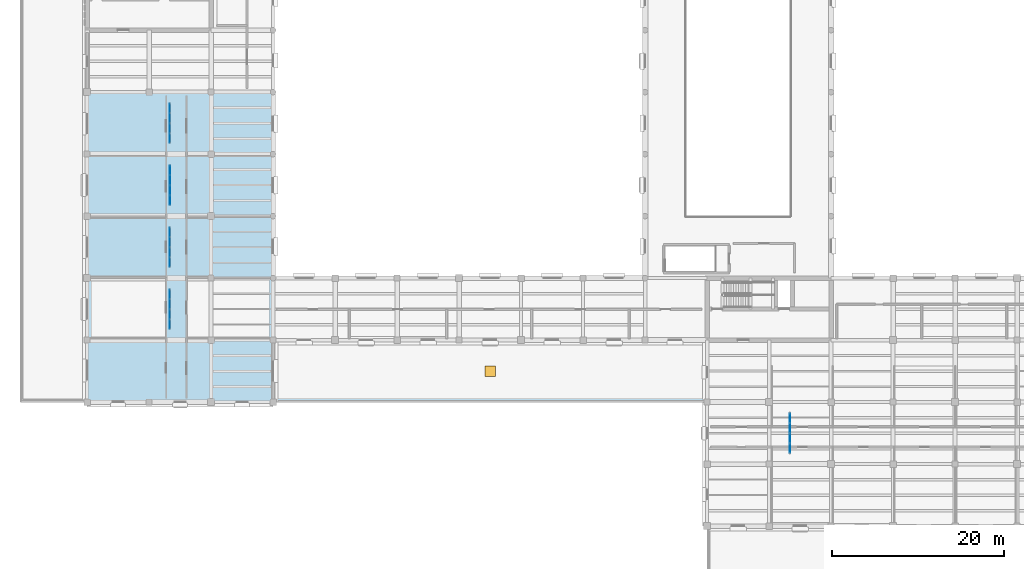
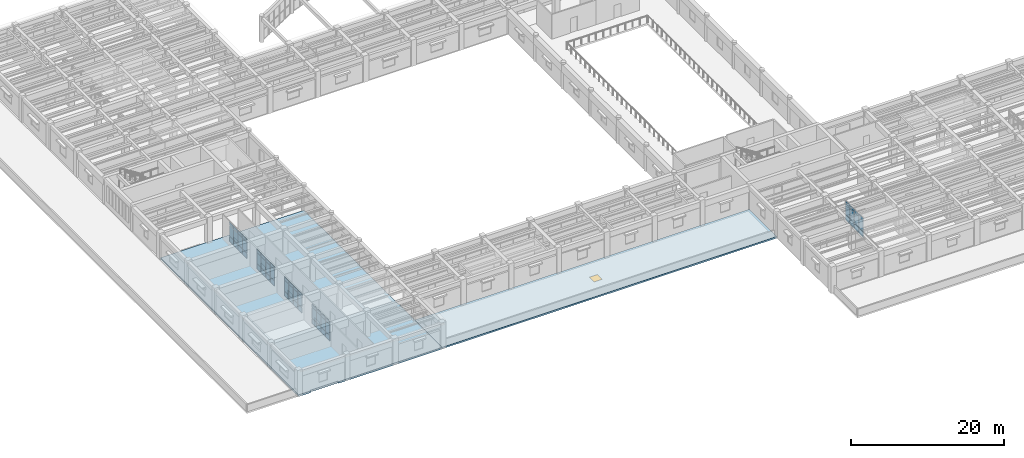
# One storey, part 35 of 76: 60 plates, 2 slabs, 1 window, 1 opening, 5 elements without a shape of their own.
"""IFC4 building model written with IfcOpenShell, lengths in metres."""

from ifc_helpers import new_model, si_unit, direction, frame, origin, origin_2d, place, context, subcontext, project, spatial, polyline, rectangle, outline, extrude, material, layer, layer_set, type_object, element, fill, aggregate, save


model = new_model("IFC4")

# Units and contexts
model_context = context("Model", 3, precision=1e-05, world=origin(), true_north=direction((0.0, 1.0)))
body_context = subcontext(model_context, "Body", "Model", "MODEL_VIEW")
ifc_project = project(units=[si_unit("LENGTHUNIT", "METRE"), si_unit("AREAUNIT", "SQUARE_METRE"), si_unit("VOLUMEUNIT", "CUBIC_METRE"), si_unit("PLANEANGLEUNIT", "RADIAN"), si_unit("MASSUNIT", "GRAM", prefix="KILO")], contexts=[model_context])

# Site, building, storey
site_placement = place(None, origin())
site = spatial("IfcSite", under=ifc_project, at=site_placement, CompositionType="ELEMENT")
building_placement = place(site_placement, origin())
building = spatial("IfcBuilding", under=site, at=building_placement, Name="Mithqara Police Headquarters", CompositionType="ELEMENT")
storey_placement = place(building_placement, frame((0.0, 0.0, 5.39990234375)))
storey = spatial("IfcBuildingStorey", under=building, at=storey_placement, Name="L01", CompositionType="ELEMENT", Elevation=5.39990234375)

# Curtain wall, plates
ifc_material_1 = material(Name="Bronze anodised aluminium 6063-T6", Category="aluminium")
curtain_wall_type = type_object("IfcCurtainWallType", Name="CURTAIN WALL 4700X3200", PredefinedType="USERDEFINED", material=ifc_material_1)
curtain_wall_1_placement = place(storey_placement, origin())
curtain_wall_1 = element("IfcCurtainWall", 1, at=curtain_wall_1_placement, inside=storey, type_object=curtain_wall_type, Name="L01 Unitised Glazing CW-15 (CW-INT-L01-X02-Y04-0)", ObjectType="UNITISED GLAZING", PredefinedType="USERDEFINED")
ifc_material_2 = material(Name="Spectrally selective double low-e glass", Category="glass")
ifc_layer_1 = layer(ifc_material_2, 0.028076171875, Name="Spectrally selective double low-e glass")
ifc_layer_set_1 = layer_set([ifc_layer_1], Name="Spectrally selective double low-e glass")
plate_type_1 = type_object("IfcPlateType", Name="CWPANEL GLASS28", PredefinedType="CURTAIN_PANEL", material=ifc_layer_set_1)
plate_1_placement = place(storey_placement, frame((17.39990234375, 30.05615234375, 0.074951171875), z_axis=(0.0, 0.0, 1.0), x_axis=(0.0, 1.0, 0.0)))
plate_1 = element("IfcPlate", 2, at=plate_1_placement, type_object=plate_type_1, Name="CW-15 panel 1.1", PredefinedType="CURTAIN_PANEL", context=body_context, shape_type="SweptSolid", body=[
    extrude(rectangle(XDim=1.0625, YDim=0.028076171875, at=origin_2d()), origin(), (0.0, 0.0, 1.0), 0.78759765625),
])
plate_2_placement = place(storey_placement, frame((17.39990234375, 30.05615234375, 0.9375), z_axis=(0.0, 0.0, 1.0), x_axis=(0.0, 1.0, 0.0)))
plate_2 = element("IfcPlate", 3, at=plate_2_placement, type_object=plate_type_1, Name="CW-15 panel 1.2", PredefinedType="CURTAIN_PANEL", context=body_context, shape_type="SweptSolid", body=[
    extrude(rectangle(XDim=1.0625, YDim=0.028076171875, at=origin_2d()), origin(), (0.0, 0.0, 1.0), 1.675048828125),
])
plate_3_placement = place(storey_placement, frame((17.39990234375, 30.05615234375, 2.6875), z_axis=(0.0, 0.0, 1.0), x_axis=(0.0, 1.0, 0.0)))
plate_3 = element("IfcPlate", 4, at=plate_3_placement, type_object=plate_type_1, Name="CW-15 panel 1.3", PredefinedType="CURTAIN_PANEL", context=body_context, shape_type="SweptSolid", body=[
    extrude(rectangle(XDim=1.0625, YDim=0.028076171875, at=origin_2d()), origin(), (0.0, 0.0, 1.0), 0.4375),
])
plate_4_placement = place(storey_placement, frame((17.39990234375, 31.21240234375, 0.074951171875), z_axis=(0.0, 0.0, 1.0), x_axis=(0.0, 1.0, 0.0)))
plate_4 = element("IfcPlate", 5, at=plate_4_placement, type_object=plate_type_1, Name="CW-15 panel 2.1", PredefinedType="CURTAIN_PANEL", context=body_context, shape_type="SweptSolid", body=[
    extrude(rectangle(XDim=1.10009765625, YDim=0.028076171875, at=origin_2d()), origin(), (0.0, 0.0, 1.0), 0.78759765625),
])
plate_5_placement = place(storey_placement, frame((17.39990234375, 31.21240234375, 0.9375), z_axis=(0.0, 0.0, 1.0), x_axis=(0.0, 1.0, 0.0)))
plate_5 = element("IfcPlate", 6, at=plate_5_placement, type_object=plate_type_1, Name="CW-15 panel 2.2", PredefinedType="CURTAIN_PANEL", context=body_context, shape_type="SweptSolid", body=[
    extrude(rectangle(XDim=1.10009765625, YDim=0.028076171875, at=origin_2d()), origin(), (0.0, 0.0, 1.0), 1.675048828125),
])
plate_6_placement = place(storey_placement, frame((17.39990234375, 31.21240234375, 2.6875), z_axis=(0.0, 0.0, 1.0), x_axis=(0.0, 1.0, 0.0)))
plate_6 = element("IfcPlate", 7, at=plate_6_placement, type_object=plate_type_1, Name="CW-15 panel 2.3", PredefinedType="CURTAIN_PANEL", context=body_context, shape_type="SweptSolid", body=[
    extrude(rectangle(XDim=1.10009765625, YDim=0.028076171875, at=origin_2d()), origin(), (0.0, 0.0, 1.0), 0.4375),
])
plate_7_placement = place(storey_placement, frame((17.39990234375, 32.387451171875, 0.074951171875), z_axis=(0.0, 0.0, 1.0), x_axis=(0.0, 1.0, 0.0)))
plate_7 = element("IfcPlate", 8, at=plate_7_placement, type_object=plate_type_1, Name="CW-15 panel 3.1", PredefinedType="CURTAIN_PANEL", context=body_context, shape_type="SweptSolid", body=[
    extrude(rectangle(XDim=1.10009765625, YDim=0.028076171875, at=origin_2d()), origin(), (0.0, 0.0, 1.0), 0.78759765625),
])
plate_8_placement = place(storey_placement, frame((17.39990234375, 32.387451171875, 0.9375), z_axis=(0.0, 0.0, 1.0), x_axis=(0.0, 1.0, 0.0)))
plate_8 = element("IfcPlate", 9, at=plate_8_placement, type_object=plate_type_1, Name="CW-15 panel 3.2", PredefinedType="CURTAIN_PANEL", context=body_context, shape_type="SweptSolid", body=[
    extrude(rectangle(XDim=1.10009765625, YDim=0.028076171875, at=origin_2d()), origin(), (0.0, 0.0, 1.0), 1.675048828125),
])
plate_9_placement = place(storey_placement, frame((17.39990234375, 32.387451171875, 2.6875), z_axis=(0.0, 0.0, 1.0), x_axis=(0.0, 1.0, 0.0)))
plate_9 = element("IfcPlate", 10, at=plate_9_placement, type_object=plate_type_1, Name="CW-15 panel 3.3", PredefinedType="CURTAIN_PANEL", context=body_context, shape_type="SweptSolid", body=[
    extrude(rectangle(XDim=1.10009765625, YDim=0.028076171875, at=origin_2d()), origin(), (0.0, 0.0, 1.0), 0.4375),
])
plate_10_placement = place(storey_placement, frame((17.39990234375, 33.543701171875, 0.074951171875), z_axis=(0.0, 0.0, 1.0), x_axis=(0.0, 1.0, 0.0)))
plate_10 = element("IfcPlate", 11, at=plate_10_placement, type_object=plate_type_1, Name="CW-15 panel 4.1", PredefinedType="CURTAIN_PANEL", context=body_context, shape_type="SweptSolid", body=[
    extrude(rectangle(XDim=1.0625, YDim=0.028076171875, at=origin_2d()), origin(), (0.0, 0.0, 1.0), 0.78759765625),
])
plate_11_placement = place(storey_placement, frame((17.39990234375, 33.543701171875, 0.9375), z_axis=(0.0, 0.0, 1.0), x_axis=(0.0, 1.0, 0.0)))
plate_11 = element("IfcPlate", 12, at=plate_11_placement, type_object=plate_type_1, Name="CW-15 panel 4.2", PredefinedType="CURTAIN_PANEL", context=body_context, shape_type="SweptSolid", body=[
    extrude(rectangle(XDim=1.0625, YDim=0.028076171875, at=origin_2d()), origin(), (0.0, 0.0, 1.0), 1.675048828125),
])
plate_12_placement = place(storey_placement, frame((17.39990234375, 33.543701171875, 2.6875), z_axis=(0.0, 0.0, 1.0), x_axis=(0.0, 1.0, 0.0)))
plate_12 = element("IfcPlate", 13, at=plate_12_placement, type_object=plate_type_1, Name="CW-15 panel 4.3", PredefinedType="CURTAIN_PANEL", context=body_context, shape_type="SweptSolid", body=[
    extrude(rectangle(XDim=1.0625, YDim=0.028076171875, at=origin_2d()), origin(), (0.0, 0.0, 1.0), 0.4375),
])
aggregate(curtain_wall_1, [plate_1, plate_2, plate_3, plate_4, plate_5, plate_6, plate_7, plate_8, plate_9, plate_10, plate_11, plate_12])

curtain_wall_2_placement = place(storey_placement, origin())
curtain_wall_2 = element("IfcCurtainWall", 14, at=curtain_wall_2_placement, inside=storey, type_object=curtain_wall_type, Name="L01 Unitised Glazing CW-15 (CW-INT-L01-X02-Y05-0)", ObjectType="UNITISED GLAZING", PredefinedType="USERDEFINED")
plate_13_placement = place(storey_placement, frame((17.39990234375, 37.25634765625, 0.074951171875), z_axis=(0.0, 0.0, 1.0), x_axis=(0.0, 1.0, 0.0)))
plate_13 = element("IfcPlate", 15, at=plate_13_placement, type_object=plate_type_1, Name="CW-15 panel 1.1", PredefinedType="CURTAIN_PANEL", context=body_context, shape_type="SweptSolid", body=[
    extrude(rectangle(XDim=1.0625, YDim=0.028076171875, at=origin_2d()), origin(), (0.0, 0.0, 1.0), 0.78759765625),
])
plate_14_placement = place(storey_placement, frame((17.39990234375, 37.25634765625, 0.9375), z_axis=(0.0, 0.0, 1.0), x_axis=(0.0, 1.0, 0.0)))
plate_14 = element("IfcPlate", 16, at=plate_14_placement, type_object=plate_type_1, Name="CW-15 panel 1.2", PredefinedType="CURTAIN_PANEL", context=body_context, shape_type="SweptSolid", body=[
    extrude(rectangle(XDim=1.0625, YDim=0.028076171875, at=origin_2d()), origin(), (0.0, 0.0, 1.0), 1.675048828125),
])
plate_15_placement = place(storey_placement, frame((17.39990234375, 37.25634765625, 2.6875), z_axis=(0.0, 0.0, 1.0), x_axis=(0.0, 1.0, 0.0)))
plate_15 = element("IfcPlate", 17, at=plate_15_placement, type_object=plate_type_1, Name="CW-15 panel 1.3", PredefinedType="CURTAIN_PANEL", context=body_context, shape_type="SweptSolid", body=[
    extrude(rectangle(XDim=1.0625, YDim=0.028076171875, at=origin_2d()), origin(), (0.0, 0.0, 1.0), 0.4375),
])
plate_16_placement = place(storey_placement, frame((17.39990234375, 38.41259765625, 0.074951171875), z_axis=(0.0, 0.0, 1.0), x_axis=(0.0, 1.0, 0.0)))
plate_16 = element("IfcPlate", 18, at=plate_16_placement, type_object=plate_type_1, Name="CW-15 panel 2.1", PredefinedType="CURTAIN_PANEL", context=body_context, shape_type="SweptSolid", body=[
    extrude(rectangle(XDim=1.10009765625, YDim=0.028076171875, at=origin_2d()), origin(), (0.0, 0.0, 1.0), 0.78759765625),
])
plate_17_placement = place(storey_placement, frame((17.39990234375, 38.41259765625, 0.9375), z_axis=(0.0, 0.0, 1.0), x_axis=(0.0, 1.0, 0.0)))
plate_17 = element("IfcPlate", 19, at=plate_17_placement, type_object=plate_type_1, Name="CW-15 panel 2.2", PredefinedType="CURTAIN_PANEL", context=body_context, shape_type="SweptSolid", body=[
    extrude(rectangle(XDim=1.10009765625, YDim=0.028076171875, at=origin_2d()), origin(), (0.0, 0.0, 1.0), 1.675048828125),
])
plate_18_placement = place(storey_placement, frame((17.39990234375, 38.41259765625, 2.6875), z_axis=(0.0, 0.0, 1.0), x_axis=(0.0, 1.0, 0.0)))
plate_18 = element("IfcPlate", 20, at=plate_18_placement, type_object=plate_type_1, Name="CW-15 panel 2.3", PredefinedType="CURTAIN_PANEL", context=body_context, shape_type="SweptSolid", body=[
    extrude(rectangle(XDim=1.10009765625, YDim=0.028076171875, at=origin_2d()), origin(), (0.0, 0.0, 1.0), 0.4375),
])
plate_19_placement = place(storey_placement, frame((17.39990234375, 39.58740234375, 0.074951171875), z_axis=(0.0, 0.0, 1.0), x_axis=(0.0, 1.0, 0.0)))
plate_19 = element("IfcPlate", 21, at=plate_19_placement, type_object=plate_type_1, Name="CW-15 panel 3.1", PredefinedType="CURTAIN_PANEL", context=body_context, shape_type="SweptSolid", body=[
    extrude(rectangle(XDim=1.10009765625, YDim=0.028076171875, at=origin_2d()), origin(), (0.0, 0.0, 1.0), 0.78759765625),
])
plate_20_placement = place(storey_placement, frame((17.39990234375, 39.58740234375, 0.9375), z_axis=(0.0, 0.0, 1.0), x_axis=(0.0, 1.0, 0.0)))
plate_20 = element("IfcPlate", 22, at=plate_20_placement, type_object=plate_type_1, Name="CW-15 panel 3.2", PredefinedType="CURTAIN_PANEL", context=body_context, shape_type="SweptSolid", body=[
    extrude(rectangle(XDim=1.10009765625, YDim=0.028076171875, at=origin_2d()), origin(), (0.0, 0.0, 1.0), 1.675048828125),
])
plate_21_placement = place(storey_placement, frame((17.39990234375, 39.58740234375, 2.6875), z_axis=(0.0, 0.0, 1.0), x_axis=(0.0, 1.0, 0.0)))
plate_21 = element("IfcPlate", 23, at=plate_21_placement, type_object=plate_type_1, Name="CW-15 panel 3.3", PredefinedType="CURTAIN_PANEL", context=body_context, shape_type="SweptSolid", body=[
    extrude(rectangle(XDim=1.10009765625, YDim=0.028076171875, at=origin_2d()), origin(), (0.0, 0.0, 1.0), 0.4375),
])
plate_22_placement = place(storey_placement, frame((17.39990234375, 40.74365234375, 0.074951171875), z_axis=(0.0, 0.0, 1.0), x_axis=(0.0, 1.0, 0.0)))
plate_22 = element("IfcPlate", 24, at=plate_22_placement, type_object=plate_type_1, Name="CW-15 panel 4.1", PredefinedType="CURTAIN_PANEL", context=body_context, shape_type="SweptSolid", body=[
    extrude(rectangle(XDim=1.0625, YDim=0.028076171875, at=origin_2d()), origin(), (0.0, 0.0, 1.0), 0.78759765625),
])
plate_23_placement = place(storey_placement, frame((17.39990234375, 40.74365234375, 0.9375), z_axis=(0.0, 0.0, 1.0), x_axis=(0.0, 1.0, 0.0)))
plate_23 = element("IfcPlate", 25, at=plate_23_placement, type_object=plate_type_1, Name="CW-15 panel 4.2", PredefinedType="CURTAIN_PANEL", context=body_context, shape_type="SweptSolid", body=[
    extrude(rectangle(XDim=1.0625, YDim=0.028076171875, at=origin_2d()), origin(), (0.0, 0.0, 1.0), 1.675048828125),
])
plate_24_placement = place(storey_placement, frame((17.39990234375, 40.74365234375, 2.6875), z_axis=(0.0, 0.0, 1.0), x_axis=(0.0, 1.0, 0.0)))
plate_24 = element("IfcPlate", 26, at=plate_24_placement, type_object=plate_type_1, Name="CW-15 panel 4.3", PredefinedType="CURTAIN_PANEL", context=body_context, shape_type="SweptSolid", body=[
    extrude(rectangle(XDim=1.0625, YDim=0.028076171875, at=origin_2d()), origin(), (0.0, 0.0, 1.0), 0.4375),
])
aggregate(curtain_wall_2, [plate_13, plate_14, plate_15, plate_16, plate_17, plate_18, plate_19, plate_20, plate_21, plate_22, plate_23, plate_24])

curtain_wall_3_placement = place(storey_placement, origin())
curtain_wall_3 = element("IfcCurtainWall", 27, at=curtain_wall_3_placement, inside=storey, type_object=curtain_wall_type, Name="L01 Unitised Glazing CW-15 (CW-INT-L01-X02-Y07-0)", ObjectType="UNITISED GLAZING", PredefinedType="USERDEFINED")
plate_25_placement = place(storey_placement, frame((17.39990234375, 51.65625, 0.074951171875), z_axis=(0.0, 0.0, 1.0), x_axis=(0.0, 1.0, 0.0)))
plate_25 = element("IfcPlate", 28, at=plate_25_placement, type_object=plate_type_1, Name="CW-15 panel 1.1", PredefinedType="CURTAIN_PANEL", context=body_context, shape_type="SweptSolid", body=[
    extrude(rectangle(XDim=1.0625, YDim=0.028076171875, at=origin_2d()), origin(), (0.0, 0.0, 1.0), 0.78759765625),
])
plate_26_placement = place(storey_placement, frame((17.39990234375, 51.65625, 0.9375), z_axis=(0.0, 0.0, 1.0), x_axis=(0.0, 1.0, 0.0)))
plate_26 = element("IfcPlate", 29, at=plate_26_placement, type_object=plate_type_1, Name="CW-15 panel 1.2", PredefinedType="CURTAIN_PANEL", context=body_context, shape_type="SweptSolid", body=[
    extrude(rectangle(XDim=1.0625, YDim=0.028076171875, at=origin_2d()), origin(), (0.0, 0.0, 1.0), 1.675048828125),
])
plate_27_placement = place(storey_placement, frame((17.39990234375, 51.65625, 2.6875), z_axis=(0.0, 0.0, 1.0), x_axis=(0.0, 1.0, 0.0)))
plate_27 = element("IfcPlate", 30, at=plate_27_placement, type_object=plate_type_1, Name="CW-15 panel 1.3", PredefinedType="CURTAIN_PANEL", context=body_context, shape_type="SweptSolid", body=[
    extrude(rectangle(XDim=1.0625, YDim=0.028076171875, at=origin_2d()), origin(), (0.0, 0.0, 1.0), 0.4375),
])
plate_28_placement = place(storey_placement, frame((17.39990234375, 52.8125, 0.074951171875), z_axis=(0.0, 0.0, 1.0), x_axis=(0.0, 1.0, 0.0)))
plate_28 = element("IfcPlate", 31, at=plate_28_placement, type_object=plate_type_1, Name="CW-15 panel 2.1", PredefinedType="CURTAIN_PANEL", context=body_context, shape_type="SweptSolid", body=[
    extrude(rectangle(XDim=1.10009765625, YDim=0.028076171875, at=origin_2d()), origin(), (0.0, 0.0, 1.0), 0.78759765625),
])
plate_29_placement = place(storey_placement, frame((17.39990234375, 52.8125, 0.9375), z_axis=(0.0, 0.0, 1.0), x_axis=(0.0, 1.0, 0.0)))
plate_29 = element("IfcPlate", 32, at=plate_29_placement, type_object=plate_type_1, Name="CW-15 panel 2.2", PredefinedType="CURTAIN_PANEL", context=body_context, shape_type="SweptSolid", body=[
    extrude(rectangle(XDim=1.10009765625, YDim=0.028076171875, at=origin_2d()), origin(), (0.0, 0.0, 1.0), 1.675048828125),
])
plate_30_placement = place(storey_placement, frame((17.39990234375, 52.8125, 2.6875), z_axis=(0.0, 0.0, 1.0), x_axis=(0.0, 1.0, 0.0)))
plate_30 = element("IfcPlate", 33, at=plate_30_placement, type_object=plate_type_1, Name="CW-15 panel 2.3", PredefinedType="CURTAIN_PANEL", context=body_context, shape_type="SweptSolid", body=[
    extrude(rectangle(XDim=1.10009765625, YDim=0.028076171875, at=origin_2d()), origin(), (0.0, 0.0, 1.0), 0.4375),
])
plate_31_placement = place(storey_placement, frame((17.39990234375, 53.987548828125, 0.074951171875), z_axis=(0.0, 0.0, 1.0), x_axis=(0.0, 1.0, 0.0)))
plate_31 = element("IfcPlate", 34, at=plate_31_placement, type_object=plate_type_1, Name="CW-15 panel 3.1", PredefinedType="CURTAIN_PANEL", context=body_context, shape_type="SweptSolid", body=[
    extrude(rectangle(XDim=1.10009765625, YDim=0.028076171875, at=origin_2d()), origin(), (0.0, 0.0, 1.0), 0.78759765625),
])
plate_32_placement = place(storey_placement, frame((17.39990234375, 53.987548828125, 0.9375), z_axis=(0.0, 0.0, 1.0), x_axis=(0.0, 1.0, 0.0)))
plate_32 = element("IfcPlate", 35, at=plate_32_placement, type_object=plate_type_1, Name="CW-15 panel 3.2", PredefinedType="CURTAIN_PANEL", context=body_context, shape_type="SweptSolid", body=[
    extrude(rectangle(XDim=1.10009765625, YDim=0.028076171875, at=origin_2d()), origin(), (0.0, 0.0, 1.0), 1.675048828125),
])
plate_33_placement = place(storey_placement, frame((17.39990234375, 53.987548828125, 2.6875), z_axis=(0.0, 0.0, 1.0), x_axis=(0.0, 1.0, 0.0)))
plate_33 = element("IfcPlate", 36, at=plate_33_placement, type_object=plate_type_1, Name="CW-15 panel 3.3", PredefinedType="CURTAIN_PANEL", context=body_context, shape_type="SweptSolid", body=[
    extrude(rectangle(XDim=1.10009765625, YDim=0.028076171875, at=origin_2d()), origin(), (0.0, 0.0, 1.0), 0.4375),
])
plate_34_placement = place(storey_placement, frame((17.39990234375, 55.143798828125, 0.074951171875), z_axis=(0.0, 0.0, 1.0), x_axis=(0.0, 1.0, 0.0)))
plate_34 = element("IfcPlate", 37, at=plate_34_placement, type_object=plate_type_1, Name="CW-15 panel 4.1", PredefinedType="CURTAIN_PANEL", context=body_context, shape_type="SweptSolid", body=[
    extrude(rectangle(XDim=1.0625, YDim=0.028076171875, at=origin_2d()), origin(), (0.0, 0.0, 1.0), 0.78759765625),
])
plate_35_placement = place(storey_placement, frame((17.39990234375, 55.143798828125, 0.9375), z_axis=(0.0, 0.0, 1.0), x_axis=(0.0, 1.0, 0.0)))
plate_35 = element("IfcPlate", 38, at=plate_35_placement, type_object=plate_type_1, Name="CW-15 panel 4.2", PredefinedType="CURTAIN_PANEL", context=body_context, shape_type="SweptSolid", body=[
    extrude(rectangle(XDim=1.0625, YDim=0.028076171875, at=origin_2d()), origin(), (0.0, 0.0, 1.0), 1.675048828125),
])
plate_36_placement = place(storey_placement, frame((17.39990234375, 55.143798828125, 2.6875), z_axis=(0.0, 0.0, 1.0), x_axis=(0.0, 1.0, 0.0)))
plate_36 = element("IfcPlate", 39, at=plate_36_placement, type_object=plate_type_1, Name="CW-15 panel 4.3", PredefinedType="CURTAIN_PANEL", context=body_context, shape_type="SweptSolid", body=[
    extrude(rectangle(XDim=1.0625, YDim=0.028076171875, at=origin_2d()), origin(), (0.0, 0.0, 1.0), 0.4375),
])
aggregate(curtain_wall_3, [plate_25, plate_26, plate_27, plate_28, plate_29, plate_30, plate_31, plate_32, plate_33, plate_34, plate_35, plate_36])

curtain_wall_4_placement = place(storey_placement, origin())
curtain_wall_4 = element("IfcCurtainWall", 40, at=curtain_wall_4_placement, inside=storey, type_object=curtain_wall_type, Name="L01 Unitised Glazing CW-15 (CW-INT-L01-X02-Y06-0)", ObjectType="UNITISED GLAZING", PredefinedType="USERDEFINED")
ifc_material_3 = material(Name="Insulated bronze aluminium spandrel panel", Category="aluminium")
ifc_layer_2 = layer(ifc_material_3, 0.048095703125, Name="Insulated bronze aluminium spandrel panel")
ifc_layer_set_2 = layer_set([ifc_layer_2], Name="Insulated bronze aluminium spandrel panel")
plate_type_2 = type_object("IfcPlateType", Name="CWPANEL SPANDREL48", PredefinedType="CURTAIN_PANEL", material=ifc_layer_set_2)
plate_37_placement = place(storey_placement, frame((17.39990234375, 44.456298828125, 0.074951171875), z_axis=(0.0, 0.0, 1.0), x_axis=(0.0, 1.0, 0.0)))
plate_37 = element("IfcPlate", 41, at=plate_37_placement, type_object=plate_type_2, Name="CW-15 panel 1.1", PredefinedType="CURTAIN_PANEL", context=body_context, shape_type="SweptSolid", body=[
    extrude(rectangle(XDim=1.0625, YDim=0.048095703125, at=origin_2d()), origin(), (0.0, 0.0, 1.0), 0.78759765625),
])
plate_38_placement = place(storey_placement, frame((17.39990234375, 44.456298828125, 0.9375), z_axis=(0.0, 0.0, 1.0), x_axis=(0.0, 1.0, 0.0)))
plate_38 = element("IfcPlate", 42, at=plate_38_placement, type_object=plate_type_2, Name="CW-15 panel 1.2", PredefinedType="CURTAIN_PANEL", context=body_context, shape_type="SweptSolid", body=[
    extrude(rectangle(XDim=1.0625, YDim=0.048095703125, at=origin_2d()), origin(), (0.0, 0.0, 1.0), 1.675048828125),
])
plate_39_placement = place(storey_placement, frame((17.39990234375, 44.456298828125, 2.6875), z_axis=(0.0, 0.0, 1.0), x_axis=(0.0, 1.0, 0.0)))
plate_39 = element("IfcPlate", 43, at=plate_39_placement, type_object=plate_type_2, Name="CW-15 panel 1.3", PredefinedType="CURTAIN_PANEL", context=body_context, shape_type="SweptSolid", body=[
    extrude(rectangle(XDim=1.0625, YDim=0.048095703125, at=origin_2d()), origin(), (0.0, 0.0, 1.0), 0.4375),
])
plate_40_placement = place(storey_placement, frame((17.39990234375, 45.612548828125, 0.074951171875), z_axis=(0.0, 0.0, 1.0), x_axis=(0.0, 1.0, 0.0)))
plate_40 = element("IfcPlate", 44, at=plate_40_placement, type_object=plate_type_2, Name="CW-15 panel 2.1", PredefinedType="CURTAIN_PANEL", context=body_context, shape_type="SweptSolid", body=[
    extrude(rectangle(XDim=1.10009765625, YDim=0.048095703125, at=origin_2d()), origin(), (0.0, 0.0, 1.0), 0.78759765625),
])
plate_41_placement = place(storey_placement, frame((17.39990234375, 45.612548828125, 0.9375), z_axis=(0.0, 0.0, 1.0), x_axis=(0.0, 1.0, 0.0)))
plate_41 = element("IfcPlate", 45, at=plate_41_placement, type_object=plate_type_2, Name="CW-15 panel 2.2", PredefinedType="CURTAIN_PANEL", context=body_context, shape_type="SweptSolid", body=[
    extrude(rectangle(XDim=1.10009765625, YDim=0.048095703125, at=origin_2d()), origin(), (0.0, 0.0, 1.0), 1.675048828125),
])
plate_42_placement = place(storey_placement, frame((17.39990234375, 45.612548828125, 2.6875), z_axis=(0.0, 0.0, 1.0), x_axis=(0.0, 1.0, 0.0)))
plate_42 = element("IfcPlate", 46, at=plate_42_placement, type_object=plate_type_2, Name="CW-15 panel 2.3", PredefinedType="CURTAIN_PANEL", context=body_context, shape_type="SweptSolid", body=[
    extrude(rectangle(XDim=1.10009765625, YDim=0.048095703125, at=origin_2d()), origin(), (0.0, 0.0, 1.0), 0.4375),
])
plate_43_placement = place(storey_placement, frame((17.39990234375, 46.78759765625, 0.074951171875), z_axis=(0.0, 0.0, 1.0), x_axis=(0.0, 1.0, 0.0)))
plate_43 = element("IfcPlate", 47, at=plate_43_placement, type_object=plate_type_2, Name="CW-15 panel 3.1", PredefinedType="CURTAIN_PANEL", context=body_context, shape_type="SweptSolid", body=[
    extrude(rectangle(XDim=1.10009765625, YDim=0.048095703125, at=origin_2d()), origin(), (0.0, 0.0, 1.0), 0.78759765625),
])
plate_44_placement = place(storey_placement, frame((17.39990234375, 46.78759765625, 0.9375), z_axis=(0.0, 0.0, 1.0), x_axis=(0.0, 1.0, 0.0)))
plate_44 = element("IfcPlate", 48, at=plate_44_placement, type_object=plate_type_2, Name="CW-15 panel 3.2", PredefinedType="CURTAIN_PANEL", context=body_context, shape_type="SweptSolid", body=[
    extrude(rectangle(XDim=1.10009765625, YDim=0.048095703125, at=origin_2d()), origin(), (0.0, 0.0, 1.0), 1.675048828125),
])
plate_45_placement = place(storey_placement, frame((17.39990234375, 46.78759765625, 2.6875), z_axis=(0.0, 0.0, 1.0), x_axis=(0.0, 1.0, 0.0)))
plate_45 = element("IfcPlate", 49, at=plate_45_placement, type_object=plate_type_2, Name="CW-15 panel 3.3", PredefinedType="CURTAIN_PANEL", context=body_context, shape_type="SweptSolid", body=[
    extrude(rectangle(XDim=1.10009765625, YDim=0.048095703125, at=origin_2d()), origin(), (0.0, 0.0, 1.0), 0.4375),
])
plate_46_placement = place(storey_placement, frame((17.39990234375, 47.94384765625, 0.074951171875), z_axis=(0.0, 0.0, 1.0), x_axis=(0.0, 1.0, 0.0)))
plate_46 = element("IfcPlate", 50, at=plate_46_placement, type_object=plate_type_2, Name="CW-15 panel 4.1", PredefinedType="CURTAIN_PANEL", context=body_context, shape_type="SweptSolid", body=[
    extrude(rectangle(XDim=1.0625, YDim=0.048095703125, at=origin_2d()), origin(), (0.0, 0.0, 1.0), 0.78759765625),
])
plate_47_placement = place(storey_placement, frame((17.39990234375, 47.94384765625, 0.9375), z_axis=(0.0, 0.0, 1.0), x_axis=(0.0, 1.0, 0.0)))
plate_47 = element("IfcPlate", 51, at=plate_47_placement, type_object=plate_type_2, Name="CW-15 panel 4.2", PredefinedType="CURTAIN_PANEL", context=body_context, shape_type="SweptSolid", body=[
    extrude(rectangle(XDim=1.0625, YDim=0.048095703125, at=origin_2d()), origin(), (0.0, 0.0, 1.0), 1.675048828125),
])
plate_48_placement = place(storey_placement, frame((17.39990234375, 47.94384765625, 2.6875), z_axis=(0.0, 0.0, 1.0), x_axis=(0.0, 1.0, 0.0)))
plate_48 = element("IfcPlate", 52, at=plate_48_placement, type_object=plate_type_2, Name="CW-15 panel 4.3", PredefinedType="CURTAIN_PANEL", context=body_context, shape_type="SweptSolid", body=[
    extrude(rectangle(XDim=1.0625, YDim=0.048095703125, at=origin_2d()), origin(), (0.0, 0.0, 1.0), 0.4375),
])
aggregate(curtain_wall_4, [plate_37, plate_38, plate_39, plate_40, plate_41, plate_42, plate_43, plate_44, plate_45, plate_46, plate_47, plate_48])

curtain_wall_5_placement = place(storey_placement, origin())
curtain_wall_5 = element("IfcCurtainWall", 53, at=curtain_wall_5_placement, inside=storey, type_object=curtain_wall_type, Name="L01 Unitised Glazing CW-15 (CW-INT-L01-X12-Y02-0)", ObjectType="UNITISED GLAZING", PredefinedType="USERDEFINED")
plate_49_placement = place(storey_placement, frame((89.39990234375, 15.65625, 0.074951171875), z_axis=(0.0, 0.0, 1.0), x_axis=(0.0, 1.0, 0.0)))
plate_49 = element("IfcPlate", 54, at=plate_49_placement, type_object=plate_type_2, Name="CW-15 panel 1.1", PredefinedType="CURTAIN_PANEL", context=body_context, shape_type="SweptSolid", body=[
    extrude(rectangle(XDim=1.0625, YDim=0.048095703125, at=origin_2d()), origin(), (0.0, 0.0, 1.0), 0.78759765625),
])
plate_50_placement = place(storey_placement, frame((89.39990234375, 15.65625, 0.9375), z_axis=(0.0, 0.0, 1.0), x_axis=(0.0, 1.0, 0.0)))
plate_50 = element("IfcPlate", 55, at=plate_50_placement, type_object=plate_type_2, Name="CW-15 panel 1.2", PredefinedType="CURTAIN_PANEL", context=body_context, shape_type="SweptSolid", body=[
    extrude(rectangle(XDim=1.0625, YDim=0.048095703125, at=origin_2d()), origin(), (0.0, 0.0, 1.0), 1.675048828125),
])
plate_51_placement = place(storey_placement, frame((89.39990234375, 15.65625, 2.6875), z_axis=(0.0, 0.0, 1.0), x_axis=(0.0, 1.0, 0.0)))
plate_51 = element("IfcPlate", 56, at=plate_51_placement, type_object=plate_type_2, Name="CW-15 panel 1.3", PredefinedType="CURTAIN_PANEL", context=body_context, shape_type="SweptSolid", body=[
    extrude(rectangle(XDim=1.0625, YDim=0.048095703125, at=origin_2d()), origin(), (0.0, 0.0, 1.0), 0.4375),
])
plate_52_placement = place(storey_placement, frame((89.39990234375, 16.8125, 0.074951171875), z_axis=(0.0, 0.0, 1.0), x_axis=(0.0, 1.0, 0.0)))
plate_52 = element("IfcPlate", 57, at=plate_52_placement, type_object=plate_type_2, Name="CW-15 panel 2.1", PredefinedType="CURTAIN_PANEL", context=body_context, shape_type="SweptSolid", body=[
    extrude(rectangle(XDim=1.10009765625, YDim=0.048095703125, at=origin_2d()), origin(), (0.0, 0.0, 1.0), 0.78759765625),
])
plate_53_placement = place(storey_placement, frame((89.39990234375, 16.8125, 0.9375), z_axis=(0.0, 0.0, 1.0), x_axis=(0.0, 1.0, 0.0)))
plate_53 = element("IfcPlate", 58, at=plate_53_placement, type_object=plate_type_2, Name="CW-15 panel 2.2", PredefinedType="CURTAIN_PANEL", context=body_context, shape_type="SweptSolid", body=[
    extrude(rectangle(XDim=1.10009765625, YDim=0.048095703125, at=origin_2d()), origin(), (0.0, 0.0, 1.0), 1.675048828125),
])
plate_54_placement = place(storey_placement, frame((89.39990234375, 16.8125, 2.6875), z_axis=(0.0, 0.0, 1.0), x_axis=(0.0, 1.0, 0.0)))
plate_54 = element("IfcPlate", 59, at=plate_54_placement, type_object=plate_type_2, Name="CW-15 panel 2.3", PredefinedType="CURTAIN_PANEL", context=body_context, shape_type="SweptSolid", body=[
    extrude(rectangle(XDim=1.10009765625, YDim=0.048095703125, at=origin_2d()), origin(), (0.0, 0.0, 1.0), 0.4375),
])
plate_55_placement = place(storey_placement, frame((89.39990234375, 17.987548828125, 0.074951171875), z_axis=(0.0, 0.0, 1.0), x_axis=(0.0, 1.0, 0.0)))
plate_55 = element("IfcPlate", 60, at=plate_55_placement, type_object=plate_type_2, Name="CW-15 panel 3.1", PredefinedType="CURTAIN_PANEL", context=body_context, shape_type="SweptSolid", body=[
    extrude(rectangle(XDim=1.10009765625, YDim=0.048095703125, at=origin_2d()), origin(), (0.0, 0.0, 1.0), 0.78759765625),
])
plate_56_placement = place(storey_placement, frame((89.39990234375, 17.987548828125, 0.9375), z_axis=(0.0, 0.0, 1.0), x_axis=(0.0, 1.0, 0.0)))
plate_56 = element("IfcPlate", 61, at=plate_56_placement, type_object=plate_type_2, Name="CW-15 panel 3.2", PredefinedType="CURTAIN_PANEL", context=body_context, shape_type="SweptSolid", body=[
    extrude(rectangle(XDim=1.10009765625, YDim=0.048095703125, at=origin_2d()), origin(), (0.0, 0.0, 1.0), 1.675048828125),
])
plate_57_placement = place(storey_placement, frame((89.39990234375, 17.987548828125, 2.6875), z_axis=(0.0, 0.0, 1.0), x_axis=(0.0, 1.0, 0.0)))
plate_57 = element("IfcPlate", 62, at=plate_57_placement, type_object=plate_type_2, Name="CW-15 panel 3.3", PredefinedType="CURTAIN_PANEL", context=body_context, shape_type="SweptSolid", body=[
    extrude(rectangle(XDim=1.10009765625, YDim=0.048095703125, at=origin_2d()), origin(), (0.0, 0.0, 1.0), 0.4375),
])
plate_58_placement = place(storey_placement, frame((89.39990234375, 19.143798828125, 0.074951171875), z_axis=(0.0, 0.0, 1.0), x_axis=(0.0, 1.0, 0.0)))
plate_58 = element("IfcPlate", 63, at=plate_58_placement, type_object=plate_type_2, Name="CW-15 panel 4.1", PredefinedType="CURTAIN_PANEL", context=body_context, shape_type="SweptSolid", body=[
    extrude(rectangle(XDim=1.0625, YDim=0.048095703125, at=origin_2d()), origin(), (0.0, 0.0, 1.0), 0.78759765625),
])
plate_59_placement = place(storey_placement, frame((89.39990234375, 19.143798828125, 0.9375), z_axis=(0.0, 0.0, 1.0), x_axis=(0.0, 1.0, 0.0)))
plate_59 = element("IfcPlate", 64, at=plate_59_placement, type_object=plate_type_2, Name="CW-15 panel 4.2", PredefinedType="CURTAIN_PANEL", context=body_context, shape_type="SweptSolid", body=[
    extrude(rectangle(XDim=1.0625, YDim=0.048095703125, at=origin_2d()), origin(), (0.0, 0.0, 1.0), 1.675048828125),
])
plate_60_placement = place(storey_placement, frame((89.39990234375, 19.143798828125, 2.6875), z_axis=(0.0, 0.0, 1.0), x_axis=(0.0, 1.0, 0.0)))
plate_60 = element("IfcPlate", 65, at=plate_60_placement, type_object=plate_type_2, Name="CW-15 panel 4.3", PredefinedType="CURTAIN_PANEL", context=body_context, shape_type="SweptSolid", body=[
    extrude(rectangle(XDim=1.0625, YDim=0.048095703125, at=origin_2d()), origin(), (0.0, 0.0, 1.0), 0.4375),
])
aggregate(curtain_wall_5, [plate_49, plate_50, plate_51, plate_52, plate_53, plate_54, plate_55, plate_56, plate_57, plate_58, plate_59, plate_60])

# Slab
ifc_material_4 = material(Name="Concrete C40/50", Category="concrete")
ifc_layer_3 = layer(ifc_material_4, 0.280029296875, Name="Concrete C40/50")
ifc_layer_set_3 = layer_set([ifc_layer_3], Name="Concrete C40/50")
slab_type_1 = type_object("IfcSlabType", Name="FLOOR SLAB 280", PredefinedType="FLOOR", material=ifc_layer_set_3)
slab_1_placement = place(storey_placement, frame((0.0, 0.0, -0.27978515625)))
element("IfcSlab", 66, at=slab_1_placement, inside=storey, type_object=slab_type_1, Name="L01 Structural Slab L01-V3", PredefinedType="FLOOR", context=body_context, shape_type="SweptSolid", body=[
    extrude(outline(polyline([(7.800048828125, 57.0), (29.39990234375, 57.0), (29.39990234375, 21.0), (13.800048828125, 21.0), (13.800048828125, 21.139892578125), (9.60009765625, 21.139892578125), (9.60009765625, 21.0), (7.800048828125, 21.0), (7.800048828125, 57.0)])), origin(), (0.0, 0.0, 1.0), 0.27978515625),
])

# Slab, opening, window
ifc_layer_4 = layer(ifc_material_4, 0.25, Name="Concrete C40/50")
ifc_layer_set_4 = layer_set([ifc_layer_4], Name="Concrete C40/50")
slab_type_2 = type_object("IfcSlabType", Name="ROOF SLAB 250", PredefinedType="ROOF", material=ifc_layer_set_4)
slab_2_placement = place(storey_placement, frame((0.0, 0.0, -0.25)))
slab_2 = element("IfcSlab", 67, at=slab_2_placement, inside=storey, type_object=slab_type_2, Name="L01 Flat Insulated Roof over L00 Wing 1", PredefinedType="ROOF", context=body_context, shape_type="SweptSolid", body=[
    extrude(outline(polyline([(29.419921875, 21.0), (29.419921875, 28.179931640625), (79.780029296875, 28.179931640625), (79.780029296875, 21.0), (29.419921875, 21.0)]), holes=[polyline([(54.0, 23.989990234375), (55.199951171875, 23.989990234375), (55.199951171875, 25.18994140625), (54.0, 25.18994140625), (54.0, 23.989990234375)])]), origin(), (0.0, 0.0, 1.0), 0.25),
])
opening_placement = place(slab_2_placement, frame((54.60009765625, 24.590087890625, -0.010009765625)))
opening = element("IfcOpeningElement", 68, at=opening_placement, cuts=slab_2, Name="Opening SK-01", PredefinedType="OPENING", context=body_context, shape_type="SweptSolid", body=[
    extrude(rectangle(XDim=1.199951171875, YDim=1.199951171875, at=origin_2d()), origin(), (0.0, 0.0, 1.0), 0.27001953125),
])
window_type = type_object("IfcWindowType", Name="SKYLIGHT 1200X1200", PartitioningType="SINGLE_PANEL", PredefinedType="SKYLIGHT", material=ifc_material_2)
window_placement = place(opening_placement, frame((0.0, 0.0, 0.2099609375)))
window = element("IfcWindow", 69, at=window_placement, inside=storey, type_object=window_type, Name="L01 Roof Daylight Skylight and Access Hatch 1", OverallHeight=1.199951171875, OverallWidth=1.199951171875, PartitioningType="SINGLE_PANEL", PredefinedType="SKYLIGHT", context=body_context, shape_type="SweptSolid", body=[
    extrude(rectangle(XDim=1.199951171875, YDim=1.199951171875, at=origin_2d()), origin(), (0.0, 0.0, 1.0), 0.050048828125),
])
fill(opening, window)

save(model, "model.ifc")
